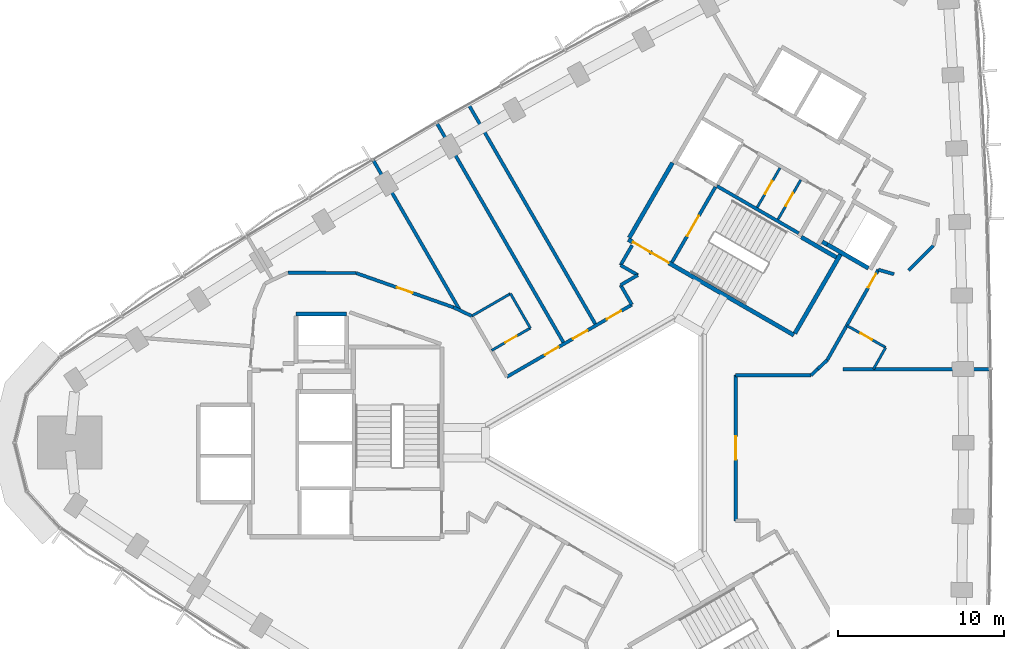
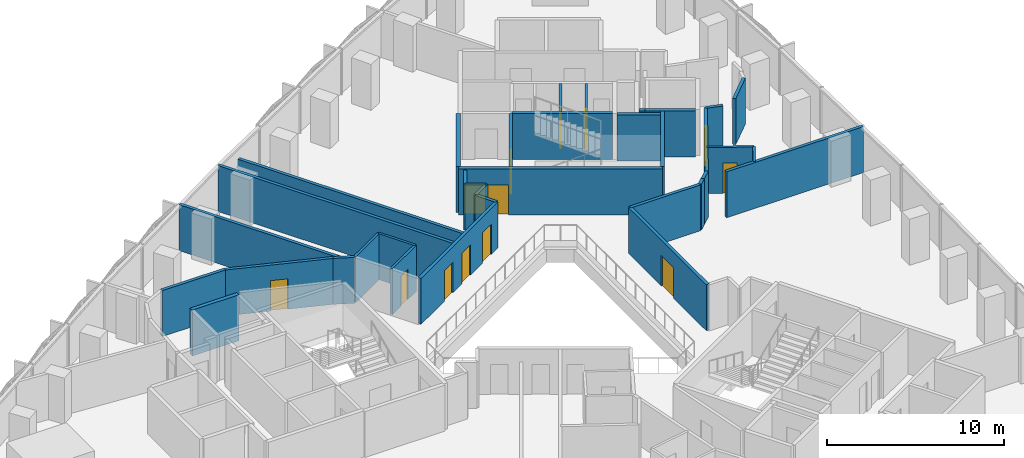
# One storey, part 10 of 15: 35 walls, 13 doors, 13 openings.
"""IFC4 building model written with IfcOpenShell, lengths in metres."""

from ifc_helpers import new_model, si_unit, direction, frame, frame_2d, origin, place, context, subcontext, project, spatial, rectangle, extrude, material, layer, layer_set, type_object, element, fill, save


model = new_model("IFC4")

# Units and contexts
model_context = context("Model", 3, precision=1e-05, world=origin(), true_north=direction((0.0, 1.0)))
body_context = subcontext(model_context, "Body", "Model", "MODEL_VIEW")
ifc_project = project(units=[si_unit("LENGTHUNIT", "METRE"), si_unit("AREAUNIT", "SQUARE_METRE"), si_unit("VOLUMEUNIT", "CUBIC_METRE"), si_unit("PLANEANGLEUNIT", "RADIAN"), si_unit("MASSUNIT", "GRAM", prefix="KILO")], contexts=[model_context])

# Site, building, storey
site_placement = place(None, origin())
site = spatial("IfcSite", under=ifc_project, at=site_placement, CompositionType="ELEMENT")
building_placement = place(site_placement, origin())
building = spatial("IfcBuilding", under=site, at=building_placement, Name="Tamra Quay Hotel Tower", CompositionType="ELEMENT")
storey_placement = place(building_placement, frame((0.0, 0.0, 86.60009765625)))
storey = spatial("IfcBuildingStorey", under=building, at=storey_placement, Name="L20", CompositionType="ELEMENT", Elevation=86.60009765625)

# Wall
ifc_material_1 = material(Name="Concrete M70", Category="concrete")
ifc_layer_1 = layer(ifc_material_1, 0.199951171875)
ifc_layer_set_1 = layer_set([ifc_layer_1], Name="Concrete M70 core wall 200")
wall_type_1 = type_object("IfcWallType", Name="Concrete M70 core wall 200", PredefinedType="SHEAR", material=ifc_layer_set_1)
wall_1_placement = place(storey_placement, frame((5.774658203125, 15.501953125, 0.0), z_axis=(0.0, 0.0, 1.0), x_axis=(0.866020080793, -0.500009219579, 0.0)))
element("IfcWall", 1, at=wall_1_placement, inside=storey, type_object=wall_type_1, Name="CW2", PredefinedType="SHEAR", context=body_context, shape_type="SweptSolid", body=[
    extrude(rectangle(XDim=5.69921875, YDim=0.199951171875, at=frame_2d((2.849609375, 0.0))), origin(), (0.0, 0.0, 1.0), 3.1748046875),
])

# Wall, opening, door
wall_2_placement = place(storey_placement, frame((3.056640625, 10.89453125, 0.0), z_axis=(0.0, 0.0, 1.0), x_axis=(0.499989418164, 0.866031513124, 0.0)))
wall_2 = element("IfcWall", 2, at=wall_2_placement, inside=storey, type_object=wall_type_1, Name="CW2", PredefinedType="SHEAR", context=body_context, shape_type="SweptSolid", body=[
    extrude(rectangle(XDim=5.2509765625, YDim=0.199951171875, at=frame_2d((2.62548828125, 0.0))), origin(), (0.0, 0.0, 1.0), 3.1748046875),
])
opening_1_placement = place(wall_2_placement, frame((1.84912109375, 0.0, 0.0)))
opening_1 = element("IfcOpeningElement", 3, at=opening_1_placement, cuts=wall_2, Name="Opening FD2", PredefinedType="OPENING", context=body_context, shape_type="SweptSolid", body=[
    extrude(rectangle(XDim=1.39990234375, YDim=2.10009765625, at=frame_2d((0.699951171875, 1.050048828125))), frame((0.0, 0.10986328125, 0.0), z_axis=(0.0, -1.0, 0.0), x_axis=(1.0, 0.0, 0.0)), (0.0, 0.0, 1.0), 0.219970703125),
])
ifc_material_2 = material(Name="Core door FD2 1400x2100 LH")
door_type_1 = type_object("IfcDoorType", Name="Core door FD2 1400x2100 LH", OperationType="NOTDEFINED", PredefinedType="DOOR", material=ifc_material_2)
door_1_placement = place(opening_1_placement, origin())
door_1 = element("IfcDoor", 4, at=door_1_placement, inside=storey, type_object=door_type_1, Name="FD2", OperationType="SINGLE_SWING_LEFT", OverallHeight=2.10009765625, OverallWidth=1.39990234375, PredefinedType="DOOR", context=body_context, shape_type="SweptSolid", body=[
    extrude(rectangle(XDim=1.39990234375, YDim=2.10009765625, at=frame_2d((0.699951171875, 1.050048828125))), frame((0.0, 0.02490234375, 0.0), z_axis=(0.0, -1.0, 0.0), x_axis=(1.0, 0.0, 0.0)), (0.0, 0.0, 1.0), 0.050048828125),
])
fill(opening_1, door_1)

# Wall
ifc_layer_2 = layer(ifc_material_1, 0.25)
ifc_layer_set_2 = layer_set([ifc_layer_2], Name="Concrete M70 core wall 250")
wall_type_2 = type_object("IfcWallType", Name="Concrete M70 core wall 250", PredefinedType="SHEAR", material=ifc_layer_set_2)
wall_3_placement = place(storey_placement, frame((-19.63720703125, 7.77490234375, 0.0), z_axis=(0.0, 0.0, 1.0), x_axis=(1.0, 0.0, 0.0)))
element("IfcWall", 5, at=wall_3_placement, inside=storey, type_object=wall_type_2, Name="CW1", PredefinedType="SHEAR", context=body_context, shape_type="SweptSolid", body=[
    extrude(rectangle(XDim=3.0498046875, YDim=0.25, at=frame_2d((1.52490234375, 0.0))), origin(), (0.0, 0.0, 1.0), 3.1748046875),
])

# Wall, openings, doors
wall_4_placement = place(storey_placement, frame((10.419921875, 6.497802734375, 0.0), z_axis=(0.0, 0.0, 1.0), x_axis=(-0.866021906294, 0.500006057782, 0.0)))
wall_4 = element("IfcWall", 6, at=wall_4_placement, inside=storey, type_object=wall_type_2, Name="CW1", PredefinedType="SHEAR", context=body_context, shape_type="SweptSolid", body=[
    extrude(rectangle(XDim=11.550048828125, YDim=0.25, at=frame_2d((5.77490234375, 0.0))), origin(), (0.0, 0.0, 1.0), 3.1748046875),
])
opening_2_placement = place(wall_4_placement, frame((10.02490234375, 0.0, 0.0)))
opening_2 = element("IfcOpeningElement", 7, at=opening_2_placement, cuts=wall_4, Name="Opening FD1", PredefinedType="OPENING", context=body_context, shape_type="SweptSolid", body=[
    extrude(rectangle(XDim=1.199951171875, YDim=2.10009765625, at=frame_2d((0.60009765625, 1.050048828125))), frame((0.0, 0.135009765625, 0.0), z_axis=(0.0, -1.0, 0.0), x_axis=(1.0, 0.0, 0.0)), (0.0, 0.0, 1.0), 0.27001953125),
])
opening_3_placement = place(wall_4_placement, frame((8.724853515625, 0.0, 0.0)))
opening_3 = element("IfcOpeningElement", 8, at=opening_3_placement, cuts=wall_4, Name="Opening FD1", PredefinedType="OPENING", context=body_context, shape_type="SweptSolid", body=[
    extrude(rectangle(XDim=1.199951171875, YDim=2.10009765625, at=frame_2d((0.60009765625, 1.050048828125))), frame((0.0, 0.135009765625, 0.0), z_axis=(0.0, -1.0, 0.0), x_axis=(1.0, 0.0, 0.0)), (0.0, 0.0, 1.0), 0.27001953125),
])
ifc_material_3 = material(Name="Core door FD1 1200x2100 LH")
door_type_2 = type_object("IfcDoorType", Name="Core door FD1 1200x2100 LH", OperationType="NOTDEFINED", PredefinedType="DOOR", material=ifc_material_3)
door_2_placement = place(opening_2_placement, origin())
door_2 = element("IfcDoor", 9, at=door_2_placement, inside=storey, type_object=door_type_2, Name="FD1", OperationType="SINGLE_SWING_LEFT", OverallHeight=2.10009765625, OverallWidth=1.199951171875, PredefinedType="DOOR", context=body_context, shape_type="SweptSolid", body=[
    extrude(rectangle(XDim=1.199951171875, YDim=2.10009765625, at=frame_2d((0.60009765625, 1.050048828125))), frame((0.0, 0.02490234375, 0.0), z_axis=(0.0, -1.0, 0.0), x_axis=(1.0, 0.0, 0.0)), (0.0, 0.0, 1.0), 0.050048828125),
])
fill(opening_2, door_2)
ifc_material_4 = material(Name="Core door FD1 1200x2100 RH")
door_type_3 = type_object("IfcDoorType", Name="Core door FD1 1200x2100 RH", OperationType="NOTDEFINED", PredefinedType="DOOR", material=ifc_material_4)
door_3_placement = place(opening_3_placement, origin())
door_3 = element("IfcDoor", 10, at=door_3_placement, inside=storey, type_object=door_type_3, Name="FD1", OperationType="SINGLE_SWING_RIGHT", OverallHeight=2.10009765625, OverallWidth=1.199951171875, PredefinedType="DOOR", context=body_context, shape_type="SweptSolid", body=[
    extrude(rectangle(XDim=1.199951171875, YDim=2.10009765625, at=frame_2d((0.60009765625, 1.050048828125))), frame((0.0, 0.02490234375, 0.0), z_axis=(0.0, -1.0, 0.0), x_axis=(1.0, 0.0, 0.0)), (0.0, 0.0, 1.0), 0.050048828125),
])
fill(opening_3, door_3)

# Walls
wall_5_placement = place(storey_placement, frame((0.47998046875, 12.38134765625, 0.0), z_axis=(0.0, 0.0, 1.0), x_axis=(0.49999885962, 0.866026062182, 0.0)))
element("IfcWall", 11, at=wall_5_placement, inside=storey, type_object=wall_type_2, Name="CW1", PredefinedType="SHEAR", context=body_context, shape_type="SweptSolid", body=[
    extrude(rectangle(XDim=5.224609375, YDim=0.25, at=frame_2d((2.6123046875, 0.0))), origin(), (0.0, 0.0, 1.0), 3.1748046875),
])
wall_6_placement = place(storey_placement, frame((13.237548828125, 11.3779296875, 0.0), z_axis=(0.0, 0.0, 1.0), x_axis=(-0.500008851346, -0.866020293397, 0.0)))
element("IfcWall", 12, at=wall_6_placement, inside=storey, type_object=wall_type_2, Name="CW1", PredefinedType="SHEAR", context=body_context, shape_type="SweptSolid", body=[
    extrude(rectangle(XDim=5.509765625, YDim=0.25, at=frame_2d((2.7548828125, 0.0))), origin(), (0.0, 0.0, 1.0), 3.1748046875),
])
wall_7_placement = place(storey_placement, frame((14.91845703125, 10.540283203125, 0.0), z_axis=(0.0, 0.0, 1.0), x_axis=(-0.866063538972, 0.499933942099, 0.0)))
element("IfcWall", 13, at=wall_7_placement, inside=storey, type_object=wall_type_2, Name="CW1", PredefinedType="SHEAR", context=body_context, shape_type="SweptSolid", body=[
    extrude(rectangle(XDim=2.86474609375, YDim=0.25, at=frame_2d((1.432373046875, 0.0))), origin(), (0.0, 0.0, 1.0), 3.1748046875),
])
wall_8_placement = place(storey_placement, frame((10.865234375, 12.41845703125, 0.0), z_axis=(0.0, 0.0, 1.0), x_axis=(0.866026229868, -0.499998569178, 0.0)))
element("IfcWall", 14, at=wall_8_placement, inside=storey, type_object=wall_type_2, Name="CW1", PredefinedType="SHEAR", context=body_context, shape_type="SweptSolid", body=[
    extrude(rectangle(XDim=2.44921875, YDim=0.25, at=frame_2d((1.224609375, 0.0))), origin(), (0.0, 0.0, 1.0), 3.1748046875),
])
wall_9_placement = place(storey_placement, frame((12.4326171875, 11.9638671875, 0.0), z_axis=(0.0, 0.0, 1.0), x_axis=(-0.866055875208, 0.499947218231, 0.0)))
element("IfcWall", 15, at=wall_9_placement, inside=storey, type_object=wall_type_2, Name="CW1", PredefinedType="SHEAR", context=body_context, shape_type="SweptSolid", body=[
    extrude(rectangle(XDim=0.3447265625, YDim=0.25, at=frame_2d((0.17236328125, 0.0))), origin(), (0.0, 0.0, 1.0), 3.1748046875),
])

# Wall, opening, door
ifc_material_5 = material(Name="Blockwork", Category="masonry")
ifc_layer_3 = layer(ifc_material_5, 0.14990234375)
ifc_layer_set_3 = layer_set([ifc_layer_3], Name="Core partition block 150")
wall_type_3 = type_object("IfcWallType", Name="Core partition block 150", PredefinedType="PARTITIONING", material=ifc_layer_set_3)
wall_10_placement = place(storey_placement, frame((9.462158203125, 13.4892578125, 0.0), z_axis=(0.0, 0.0, 1.0), x_axis=(0.50002746344, 0.86600954718, 0.0)))
wall_10 = element("IfcWall", 16, at=wall_10_placement, inside=storey, type_object=wall_type_3, Name="CP1", PredefinedType="PARTITIONING", context=body_context, shape_type="SweptSolid", body=[
    extrude(rectangle(XDim=2.748291015625, YDim=0.14990234375, at=frame_2d((1.3740234375, 0.0))), origin(), (0.0, 0.0, 1.0), 3.1748046875),
])
opening_4_placement = place(wall_10_placement, frame((0.92431640625, 0.0, 0.0)))
opening_4 = element("IfcOpeningElement", 17, at=opening_4_placement, cuts=wall_10, Name="Opening D2", PredefinedType="OPENING", context=body_context, shape_type="SweptSolid", body=[
    extrude(rectangle(XDim=0.89990234375, YDim=2.10009765625, at=frame_2d((0.449951171875, 1.050048828125))), frame((0.0, 0.0849609375, 0.0), z_axis=(0.0, -1.0, 0.0), x_axis=(1.0, 0.0, 0.0)), (0.0, 0.0, 1.0), 0.169921875),
])
ifc_material_6 = material(Name="Core door D2 900x2100 LH")
door_type_4 = type_object("IfcDoorType", Name="Core door D2 900x2100 LH", OperationType="NOTDEFINED", PredefinedType="DOOR", material=ifc_material_6)
door_4_placement = place(opening_4_placement, origin())
door_4 = element("IfcDoor", 18, at=door_4_placement, inside=storey, type_object=door_type_4, Name="D2", OperationType="SINGLE_SWING_LEFT", OverallHeight=2.10009765625, OverallWidth=0.89990234375, PredefinedType="DOOR", context=body_context, shape_type="SweptSolid", body=[
    extrude(rectangle(XDim=0.89990234375, YDim=2.10009765625, at=frame_2d((0.449951171875, 1.050048828125))), frame((0.0, 0.02490234375, 0.0), z_axis=(0.0, -1.0, 0.0), x_axis=(1.0, 0.0, 0.0)), (0.0, 0.0, 1.0), 0.050048828125),
])
fill(opening_4, door_4)

wall_11_placement = place(storey_placement, frame((8.20654296875, 14.214111328125, 0.0), z_axis=(0.0, 0.0, 1.0), x_axis=(0.499922376475, 0.866070215109, 0.0)))
wall_11 = element("IfcWall", 19, at=wall_11_placement, inside=storey, type_object=wall_type_3, Name="CP1", PredefinedType="PARTITIONING", context=body_context, shape_type="SweptSolid", body=[
    extrude(rectangle(XDim=2.74853515625, YDim=0.14990234375, at=frame_2d((1.374267578125, 0.0))), origin(), (0.0, 0.0, 1.0), 3.1748046875),
])
opening_5_placement = place(wall_11_placement, frame((0.92431640625, 0.0, 0.0)))
opening_5 = element("IfcOpeningElement", 20, at=opening_5_placement, cuts=wall_11, Name="Opening D2", PredefinedType="OPENING", context=body_context, shape_type="SweptSolid", body=[
    extrude(rectangle(XDim=0.89990234375, YDim=2.10009765625, at=frame_2d((0.449951171875, 1.050048828125))), frame((0.0, 0.0849609375, 0.0), z_axis=(0.0, -1.0, 0.0), x_axis=(1.0, 0.0, 0.0)), (0.0, 0.0, 1.0), 0.169921875),
])
ifc_material_7 = material(Name="Core door D2 900x2100 RH")
door_type_5 = type_object("IfcDoorType", Name="Core door D2 900x2100 RH", OperationType="NOTDEFINED", PredefinedType="DOOR", material=ifc_material_7)
door_5_placement = place(opening_5_placement, origin())
door_5 = element("IfcDoor", 21, at=door_5_placement, inside=storey, type_object=door_type_5, Name="D2", OperationType="SINGLE_SWING_RIGHT", OverallHeight=2.10009765625, OverallWidth=0.89990234375, PredefinedType="DOOR", context=body_context, shape_type="SweptSolid", body=[
    extrude(rectangle(XDim=0.89990234375, YDim=2.10009765625, at=frame_2d((0.449951171875, 1.050048828125))), frame((0.0, 0.02490234375, 0.0), z_axis=(0.0, -1.0, 0.0), x_axis=(1.0, 0.0, 0.0)), (0.0, 0.0, 1.0), 0.050048828125),
])
fill(opening_5, door_5)

# Wall
ifc_material_8 = material(Name="Partition corridor wall")
ifc_layer_4 = layer(ifc_material_8, 0.199951171875)
ifc_layer_set_4 = layer_set([ifc_layer_4], Name="Partition corridor wall")
wall_type_4 = type_object("IfcWallType", Name="Partition corridor wall", PredefinedType="PARTITIONING", material=ifc_layer_set_4)
wall_12_placement = place(storey_placement, frame((-20.14306640625, 10.26611328125, 0.0), z_axis=(0.0, 0.0, 1.0), x_axis=(0.999989297417, -0.004626559416, 0.0)))
element("IfcWall", 22, at=wall_12_placement, inside=storey, type_object=wall_type_4, Name="W-C", PredefinedType="PARTITIONING", context=body_context, shape_type="SweptSolid", body=[
    extrude(rectangle(XDim=4.115966796875, YDim=0.199951171875, at=frame_2d((2.05810546875, 0.0))), origin(), (0.0, 0.0, 1.0), 3.1748046875),
])

# Wall, opening, door
wall_13_placement = place(storey_placement, frame((-16.02587890625, 10.2470703125, 0.0), z_axis=(0.0, 0.0, 1.0), x_axis=(0.943302857381, -0.331933305434, 0.0)))
wall_13 = element("IfcWall", 23, at=wall_13_placement, inside=storey, type_object=wall_type_4, Name="W-C", PredefinedType="PARTITIONING", context=body_context, shape_type="SweptSolid", body=[
    extrude(rectangle(XDim=6.236328125, YDim=0.199951171875, at=frame_2d((3.1181640625, 0.0))), origin(), (0.0, 0.0, 1.0), 3.1748046875),
])
opening_6_placement = place(wall_13_placement, frame((2.618408203125, 0.0, 0.0)))
opening_6 = element("IfcOpeningElement", 24, at=opening_6_placement, cuts=wall_13, Name="Opening L20-D009", PredefinedType="OPENING", context=body_context, shape_type="SweptSolid", body=[
    extrude(rectangle(XDim=1.0, YDim=2.10009765625, at=frame_2d((0.5, 1.050048828125))), frame((0.0, 0.10986328125, 0.0), z_axis=(0.0, -1.0, 0.0), x_axis=(1.0, 0.0, 0.0)), (0.0, 0.0, 1.0), 0.219970703125),
])
ifc_material_9 = material(Name="Door guest room 1000x2100")
door_type_6 = type_object("IfcDoorType", Name="Door guest room 1000x2100", OperationType="NOTDEFINED", PredefinedType="DOOR", material=ifc_material_9)
door_6_placement = place(opening_6_placement, origin())
door_6 = element("IfcDoor", 25, at=door_6_placement, inside=storey, type_object=door_type_6, Name="L20-D009", OperationType="SINGLE_SWING_LEFT", OverallHeight=2.10009765625, OverallWidth=1.0, PredefinedType="DOOR", context=body_context, shape_type="SweptSolid", body=[
    extrude(rectangle(XDim=1.0, YDim=2.10009765625, at=frame_2d((0.5, 1.050048828125))), frame((0.0, 0.02490234375, 0.0), z_axis=(0.0, -1.0, 0.0), x_axis=(1.0, 0.0, 0.0)), (0.0, 0.0, 1.0), 0.050048828125),
])
fill(opening_6, door_6)

# Wall
wall_14_placement = place(storey_placement, frame((-10.14306640625, 8.1767578125, 0.0), z_axis=(0.0, 0.0, 1.0), x_axis=(0.904109978004, -0.427299833458, 0.0)))
element("IfcWall", 26, at=wall_14_placement, inside=storey, type_object=wall_type_4, Name="W-C", PredefinedType="PARTITIONING", context=body_context, shape_type="SweptSolid", body=[
    extrude(rectangle(XDim=1.227783203125, YDim=0.199951171875, at=frame_2d((0.61376953125, 0.0))), origin(), (0.0, 0.0, 1.0), 3.1748046875),
])

# Wall, openings, doors
wall_15_placement = place(storey_placement, frame((-6.9111328125, 3.977294921875, 0.0), z_axis=(0.0, 0.0, 1.0), x_axis=(0.86601303132, 0.500021429124, 0.0)))
wall_15 = element("IfcWall", 27, at=wall_15_placement, inside=storey, type_object=wall_type_4, Name="W-C", PredefinedType="PARTITIONING", context=body_context, shape_type="SweptSolid", body=[
    extrude(rectangle(XDim=8.7177734375, YDim=0.199951171875, at=frame_2d((4.35888671875, 0.0))), origin(), (0.0, 0.0, 1.0), 3.1748046875),
])
opening_7_placement = place(wall_15_placement, frame((4.608154296875, 0.0, 0.0)))
opening_7 = element("IfcOpeningElement", 28, at=opening_7_placement, cuts=wall_15, Name="Opening L20-D004", PredefinedType="OPENING", context=body_context, shape_type="SweptSolid", body=[
    extrude(rectangle(XDim=1.0, YDim=2.10009765625, at=frame_2d((0.5, 1.050048828125))), frame((0.0, 0.10986328125, 0.0), z_axis=(0.0, -1.0, 0.0), x_axis=(1.0, 0.0, 0.0)), (0.0, 0.0, 1.0), 0.219970703125),
])
opening_8_placement = place(wall_15_placement, frame((6.96240234375, 0.0, 0.0)))
opening_8 = element("IfcOpeningElement", 29, at=opening_8_placement, cuts=wall_15, Name="Opening L20-D005", PredefinedType="OPENING", context=body_context, shape_type="SweptSolid", body=[
    extrude(rectangle(XDim=1.0, YDim=2.10009765625, at=frame_2d((0.5, 1.050048828125))), frame((0.0, 0.10986328125, 0.0), z_axis=(0.0, -1.0, 0.0), x_axis=(1.0, 0.0, 0.0)), (0.0, 0.0, 1.0), 0.219970703125),
])
opening_9_placement = place(wall_15_placement, frame((2.64990234375, 0.0, 0.0)))
opening_9 = element("IfcOpeningElement", 30, at=opening_9_placement, cuts=wall_15, Name="Opening L20-D006", PredefinedType="OPENING", context=body_context, shape_type="SweptSolid", body=[
    extrude(rectangle(XDim=0.949951171875, YDim=2.10009765625, at=frame_2d((0.47509765625, 1.050048828125))), frame((0.0, 0.10986328125, 0.0), z_axis=(0.0, -1.0, 0.0), x_axis=(1.0, 0.0, 0.0)), (0.0, 0.0, 1.0), 0.219970703125),
])
door_7_placement = place(opening_7_placement, origin())
door_7 = element("IfcDoor", 31, at=door_7_placement, inside=storey, type_object=door_type_6, Name="L20-D004", OperationType="SINGLE_SWING_LEFT", OverallHeight=2.10009765625, OverallWidth=1.0, PredefinedType="DOOR", context=body_context, shape_type="SweptSolid", body=[
    extrude(rectangle(XDim=1.0, YDim=2.10009765625, at=frame_2d((0.5, 1.050048828125))), frame((0.0, 0.02490234375, 0.0), z_axis=(0.0, -1.0, 0.0), x_axis=(1.0, 0.0, 0.0)), (0.0, 0.0, 1.0), 0.050048828125),
])
fill(opening_7, door_7)
door_8_placement = place(opening_8_placement, origin())
door_8 = element("IfcDoor", 32, at=door_8_placement, inside=storey, type_object=door_type_6, Name="L20-D005", OperationType="SINGLE_SWING_LEFT", OverallHeight=2.10009765625, OverallWidth=1.0, PredefinedType="DOOR", context=body_context, shape_type="SweptSolid", body=[
    extrude(rectangle(XDim=1.0, YDim=2.10009765625, at=frame_2d((0.5, 1.050048828125))), frame((0.0, 0.02490234375, 0.0), z_axis=(0.0, -1.0, 0.0), x_axis=(1.0, 0.0, 0.0)), (0.0, 0.0, 1.0), 0.050048828125),
])
fill(opening_8, door_8)
ifc_material_10 = material(Name="Door guest room 950x2100")
door_type_7 = type_object("IfcDoorType", Name="Door guest room 950x2100", OperationType="NOTDEFINED", PredefinedType="DOOR", material=ifc_material_10)
door_9_placement = place(opening_9_placement, origin())
door_9 = element("IfcDoor", 33, at=door_9_placement, inside=storey, type_object=door_type_7, Name="L20-D006", OperationType="SINGLE_SWING_LEFT", OverallHeight=2.10009765625, OverallWidth=0.949951171875, PredefinedType="DOOR", context=body_context, shape_type="SweptSolid", body=[
    extrude(rectangle(XDim=0.949951171875, YDim=2.10009765625, at=frame_2d((0.47509765625, 1.050048828125))), frame((0.0, 0.02490234375, 0.0), z_axis=(0.0, -1.0, 0.0), x_axis=(1.0, 0.0, 0.0)), (0.0, 0.0, 1.0), 0.050048828125),
])
fill(opening_9, door_9)

# Walls
wall_16_placement = place(storey_placement, frame((-0.044921875, 9.52099609375, 0.0), z_axis=(0.0, 0.0, 1.0), x_axis=(0.499804837697, -0.866138051476, 0.0)))
element("IfcWall", 34, at=wall_16_placement, inside=storey, type_object=wall_type_4, Name="W-C", PredefinedType="PARTITIONING", context=body_context, shape_type="SweptSolid", body=[
    extrude(rectangle(XDim=1.3681640625, YDim=0.199951171875, at=frame_2d((0.68408203125, 0.0))), origin(), (0.0, 0.0, 1.0), 3.1748046875),
])
wall_17_placement = place(storey_placement, frame((-0.044921875, 9.52197265625, 0.0), z_axis=(0.0, 0.0, 1.0), x_axis=(0.86625675314, 0.499599076899, 0.0)))
element("IfcWall", 35, at=wall_17_placement, inside=storey, type_object=wall_type_4, Name="W-C", PredefinedType="PARTITIONING", context=body_context, shape_type="SweptSolid", body=[
    extrude(rectangle(XDim=1.19921875, YDim=0.199951171875, at=frame_2d((0.599609375, 0.0))), origin(), (0.0, 0.0, 1.0), 3.1748046875),
])
wall_18_placement = place(storey_placement, frame((-0.044921875, 10.721923828125, 0.0), z_axis=(0.0, 0.0, 1.0), x_axis=(0.500107785535, 0.865963164833, 0.0)))
element("IfcWall", 36, at=wall_18_placement, inside=storey, type_object=wall_type_4, Name="W-C", PredefinedType="PARTITIONING", context=body_context, shape_type="SweptSolid", body=[
    extrude(rectangle(XDim=1.389404296875, YDim=0.199951171875, at=frame_2d((0.69482421875, 0.0))), origin(), (0.0, 0.0, 1.0), 3.1748046875),
])
wall_19_placement = place(storey_placement, frame((-0.044921875, 10.720947265625, 0.0), z_axis=(0.0, 0.0, 1.0), x_axis=(0.865992388649, -0.500057179532, 0.0)))
element("IfcWall", 37, at=wall_19_placement, inside=storey, type_object=wall_type_4, Name="W-C", PredefinedType="PARTITIONING", context=body_context, shape_type="SweptSolid", body=[
    extrude(rectangle(XDim=1.199462890625, YDim=0.199951171875, at=frame_2d((0.599609375, 0.0))), origin(), (0.0, 0.0, 1.0), 3.1748046875),
])

# Wall, opening, door
wall_20_placement = place(storey_placement, frame((6.89990234375, -4.720947265625, 0.0), z_axis=(0.0, 0.0, 1.0), x_axis=(0.0, 1.0, 0.0)))
wall_20 = element("IfcWall", 38, at=wall_20_placement, inside=storey, type_object=wall_type_4, Name="W-C", PredefinedType="PARTITIONING", context=body_context, shape_type="SweptSolid", body=[
    extrude(rectangle(XDim=8.798828125, YDim=0.199951171875, at=frame_2d((4.3994140625, 0.0))), origin(), (0.0, 0.0, 1.0), 3.1748046875),
])
opening_10_placement = place(wall_20_placement, frame((3.699462890625, 0.0, 0.0)))
opening_10 = element("IfcOpeningElement", 39, at=opening_10_placement, cuts=wall_20, Name="Opening L20-D001", PredefinedType="OPENING", context=body_context, shape_type="SweptSolid", body=[
    extrude(rectangle(XDim=1.39990234375, YDim=2.10009765625, at=frame_2d((0.699951171875, 1.050048828125))), frame((0.0, 0.10986328125, 0.0), z_axis=(0.0, -1.0, 0.0), x_axis=(1.0, 0.0, 0.0)), (0.0, 0.0, 1.0), 0.219970703125),
])
ifc_material_11 = material(Name="Door double leaf 1400x2100")
door_type_8 = type_object("IfcDoorType", Name="Door double leaf 1400x2100", OperationType="DOUBLE_DOOR_SINGLE_SWING", PredefinedType="DOOR", material=ifc_material_11)
door_10_placement = place(opening_10_placement, frame((1.39990234375, 0.0, 0.0), z_axis=(0.0, 0.0, 1.0), x_axis=(-1.0, 0.0, 0.0)))
door_10 = element("IfcDoor", 40, at=door_10_placement, inside=storey, type_object=door_type_8, Name="L20-D001", OperationType="DOUBLE_DOOR_SINGLE_SWING", OverallHeight=2.10009765625, OverallWidth=1.39990234375, PredefinedType="DOOR", context=body_context, shape_type="SweptSolid", body=[
    extrude(rectangle(XDim=1.39990234375, YDim=2.10009765625, at=frame_2d((0.699951171875, 1.050048828125))), frame((0.0, 0.02490234375, 0.0), z_axis=(0.0, -1.0, 0.0), x_axis=(1.0, 0.0, 0.0)), (0.0, 0.0, 1.0), 0.050048828125),
])
fill(opening_10, door_10)

# Walls
wall_21_placement = place(storey_placement, frame((6.89990234375, 4.077880859375, 0.0), z_axis=(0.0, 0.0, 1.0), x_axis=(1.0, 0.0, 0.0)))
element("IfcWall", 41, at=wall_21_placement, inside=storey, type_object=wall_type_4, Name="W-C", PredefinedType="PARTITIONING", context=body_context, shape_type="SweptSolid", body=[
    extrude(rectangle(XDim=4.55810546875, YDim=0.199951171875, at=frame_2d((2.279052734375, 0.0))), origin(), (0.0, 0.0, 1.0), 3.1748046875),
])
wall_22_placement = place(storey_placement, frame((11.4580078125, 4.077880859375, 0.0), z_axis=(0.0, 0.0, 1.0), x_axis=(0.730044754355, 0.683399339068, 0.0)))
element("IfcWall", 42, at=wall_22_placement, inside=storey, type_object=wall_type_4, Name="W-C", PredefinedType="PARTITIONING", context=body_context, shape_type="SweptSolid", body=[
    extrude(rectangle(XDim=0.5546875, YDim=0.199951171875, at=frame_2d((0.27734375, 0.0))), origin(), (0.0, 0.0, 1.0), 3.1748046875),
])

# Wall, opening, door
wall_23_placement = place(storey_placement, frame((12.43359375, 4.99169921875, 0.0), z_axis=(0.0, 0.0, 1.0), x_axis=(0.492587091186, 0.870263154222, 0.0)))
wall_23 = element("IfcWall", 43, at=wall_23_placement, inside=storey, type_object=wall_type_4, Name="W-C", PredefinedType="PARTITIONING", context=body_context, shape_type="SweptSolid", body=[
    extrude(rectangle(XDim=6.269775390625, YDim=0.199951171875, at=frame_2d((3.134765625, 0.0))), origin(), (0.0, 0.0, 1.0), 3.1748046875),
])
opening_11_placement = place(wall_23_placement, frame((5.0380859375, 0.0, 0.0)))
opening_11 = element("IfcOpeningElement", 44, at=opening_11_placement, cuts=wall_23, Name="Opening L20-D002", PredefinedType="OPENING", context=body_context, shape_type="SweptSolid", body=[
    extrude(rectangle(XDim=0.949951171875, YDim=2.10009765625, at=frame_2d((0.47509765625, 1.050048828125))), frame((0.0, 0.10986328125, 0.0), z_axis=(0.0, -1.0, 0.0), x_axis=(1.0, 0.0, 0.0)), (0.0, 0.0, 1.0), 0.219970703125),
])
door_11_placement = place(opening_11_placement, origin())
door_11 = element("IfcDoor", 45, at=door_11_placement, inside=storey, type_object=door_type_7, Name="L20-D002", OperationType="SINGLE_SWING_LEFT", OverallHeight=2.10009765625, OverallWidth=0.949951171875, PredefinedType="DOOR", context=body_context, shape_type="SweptSolid", body=[
    extrude(rectangle(XDim=0.949951171875, YDim=2.10009765625, at=frame_2d((0.47509765625, 1.050048828125))), frame((0.0, 0.02490234375, 0.0), z_axis=(0.0, -1.0, 0.0), x_axis=(1.0, 0.0, 0.0)), (0.0, 0.0, 1.0), 0.050048828125),
])
fill(opening_11, door_11)

# Walls
wall_24_placement = place(storey_placement, frame((15.52197265625, 10.447998046875, 0.0), z_axis=(0.0, 0.0, 1.0), x_axis=(0.961673491185, -0.274197185164, 0.0)))
element("IfcWall", 46, at=wall_24_placement, inside=storey, type_object=wall_type_4, Name="W-C", PredefinedType="PARTITIONING", context=body_context, shape_type="SweptSolid", body=[
    extrude(rectangle(XDim=0.98486328125, YDim=0.199951171875, at=frame_2d((0.492431640625, 0.0))), origin(), (0.0, 0.0, 1.0), 3.1748046875),
])
wall_25_placement = place(storey_placement, frame((17.35205078125, 10.406982421875, 0.0), z_axis=(0.0, 0.0, 1.0), x_axis=(0.707106781187, 0.707106781187, 0.0)))
element("IfcWall", 47, at=wall_25_placement, inside=storey, type_object=wall_type_4, Name="W-C", PredefinedType="PARTITIONING", context=body_context, shape_type="SweptSolid", body=[
    extrude(rectangle(XDim=2.121337890625, YDim=0.199951171875, at=frame_2d((1.060546875, 0.0))), origin(), (0.0, 0.0, 1.0), 3.1748046875),
])
wall_26_placement = place(storey_placement, frame((12.43359375, 4.99169921875, 0.0), z_axis=(0.0, 0.0, 1.0), x_axis=(-0.730130737703, -0.683307475345, 0.0)))
element("IfcWall", 48, at=wall_26_placement, inside=storey, type_object=wall_type_4, Name="W-C", PredefinedType="PARTITIONING", context=body_context, shape_type="SweptSolid", body=[
    extrude(rectangle(XDim=0.7822265625, YDim=0.199951171875, at=frame_2d((0.39111328125, 0.0))), origin(), (0.0, 0.0, 1.0), 3.1748046875),
])
ifc_material_12 = material(Name="Partition en-suite wall")
ifc_layer_5 = layer(ifc_material_12, 0.14990234375)
ifc_layer_set_5 = layer_set([ifc_layer_5], Name="Partition en-suite wall")
wall_type_5 = type_object("IfcWallType", Name="Partition en-suite wall", PredefinedType="PARTITIONING", material=ifc_layer_set_5)
wall_27_placement = place(storey_placement, frame((-9.032958984375, 7.652099609375, 0.0), z_axis=(0.0, 0.0, 1.0), x_axis=(0.866013897511, 0.50001992892, 0.0)))
element("IfcWall", 49, at=wall_27_placement, inside=storey, type_object=wall_type_5, Name="W-E", PredefinedType="PARTITIONING", context=body_context, shape_type="SweptSolid", body=[
    extrude(rectangle(XDim=2.69970703125, YDim=0.14990234375, at=frame_2d((1.349853515625, 0.0))), origin(), (0.0, 0.0, 1.0), 3.1748046875),
])

# Wall, opening, door
wall_28_placement = place(storey_placement, frame((-7.8330078125, 5.573974609375, 0.0), z_axis=(0.0, 0.0, 1.0), x_axis=(0.865974735705, 0.50008774942, 0.0)))
wall_28 = element("IfcWall", 50, at=wall_28_placement, inside=storey, type_object=wall_type_5, Name="W-E", PredefinedType="PARTITIONING", context=body_context, shape_type="SweptSolid", body=[
    extrude(rectangle(XDim=2.69970703125, YDim=0.14990234375, at=frame_2d((1.349853515625, 0.0))), origin(), (0.0, 0.0, 1.0), 3.1748046875),
])
opening_12_placement = place(wall_28_placement, frame((0.949951171875, 0.0, 0.0)))
opening_12 = element("IfcOpeningElement", 51, at=opening_12_placement, cuts=wall_28, Name="Opening L20-D007", PredefinedType="OPENING", context=body_context, shape_type="SweptSolid", body=[
    extrude(rectangle(XDim=0.800048828125, YDim=2.10009765625, at=frame_2d((0.39990234375, 1.050048828125))), frame((0.0, 0.0849609375, 0.0), z_axis=(0.0, -1.0, 0.0), x_axis=(1.0, 0.0, 0.0)), (0.0, 0.0, 1.0), 0.169921875),
])
ifc_material_13 = material(Name="Door en-suite 800x2100")
door_type_9 = type_object("IfcDoorType", Name="Door en-suite 800x2100", OperationType="NOTDEFINED", PredefinedType="DOOR", material=ifc_material_13)
door_12_placement = place(opening_12_placement, origin())
door_12 = element("IfcDoor", 52, at=door_12_placement, inside=storey, type_object=door_type_9, Name="L20-D007", OperationType="SINGLE_SWING_LEFT", OverallHeight=2.10009765625, OverallWidth=0.800048828125, PredefinedType="DOOR", context=body_context, shape_type="SweptSolid", body=[
    extrude(rectangle(XDim=0.800048828125, YDim=2.10009765625, at=frame_2d((0.39990234375, 1.050048828125))), frame((0.0, 0.02490234375, 0.0), z_axis=(0.0, -1.0, 0.0), x_axis=(1.0, 0.0, 0.0)), (0.0, 0.0, 1.0), 0.050048828125),
])
fill(opening_12, door_12)

# Wall
wall_29_placement = place(storey_placement, frame((-6.695068359375, 9.001953125, 0.0), z_axis=(0.0, 0.0, 1.0), x_axis=(0.500089422704, -0.865973769406, 0.0)))
element("IfcWall", 53, at=wall_29_placement, inside=storey, type_object=wall_type_5, Name="W-E", PredefinedType="PARTITIONING", context=body_context, shape_type="SweptSolid", body=[
    extrude(rectangle(XDim=2.3994140625, YDim=0.14990234375, at=frame_2d((1.19970703125, 0.0))), origin(), (0.0, 0.0, 1.0), 3.1748046875),
])

# Wall, opening, door
wall_30_placement = place(storey_placement, frame((13.6201171875, 7.075927734375, 0.0), z_axis=(0.0, 0.0, 1.0), x_axis=(0.870642347791, -0.491916560235, 0.0)))
wall_30 = element("IfcWall", 54, at=wall_30_placement, inside=storey, type_object=wall_type_5, Name="W-E", PredefinedType="PARTITIONING", context=body_context, shape_type="SweptSolid", body=[
    extrude(rectangle(XDim=2.6875, YDim=0.14990234375, at=frame_2d((1.34375, 0.0))), origin(), (0.0, 0.0, 1.0), 3.1748046875),
])
opening_13_placement = place(wall_30_placement, frame((0.94384765625, 0.0, 0.0)))
opening_13 = element("IfcOpeningElement", 55, at=opening_13_placement, cuts=wall_30, Name="Opening L20-D003", PredefinedType="OPENING", context=body_context, shape_type="SweptSolid", body=[
    extrude(rectangle(XDim=0.800048828125, YDim=2.10009765625, at=frame_2d((0.39990234375, 1.050048828125))), frame((0.0, 0.0849609375, 0.0), z_axis=(0.0, -1.0, 0.0), x_axis=(1.0, 0.0, 0.0)), (0.0, 0.0, 1.0), 0.169921875),
])
door_13_placement = place(opening_13_placement, origin())
door_13 = element("IfcDoor", 56, at=door_13_placement, inside=storey, type_object=door_type_9, Name="L20-D003", OperationType="SINGLE_SWING_LEFT", OverallHeight=2.10009765625, OverallWidth=0.800048828125, PredefinedType="DOOR", context=body_context, shape_type="SweptSolid", body=[
    extrude(rectangle(XDim=0.800048828125, YDim=2.10009765625, at=frame_2d((0.39990234375, 1.050048828125))), frame((0.0, 0.02490234375, 0.0), z_axis=(0.0, -1.0, 0.0), x_axis=(1.0, 0.0, 0.0)), (0.0, 0.0, 1.0), 0.050048828125),
])
fill(opening_13, door_13)

# Walls
wall_31_placement = place(storey_placement, frame((15.22607421875, 4.446044921875, 0.0), z_axis=(0.0, 0.0, 1.0), x_axis=(0.49313192832, 0.869954539773, 0.0)))
element("IfcWall", 57, at=wall_31_placement, inside=storey, type_object=wall_type_5, Name="W-E", PredefinedType="PARTITIONING", context=body_context, shape_type="SweptSolid", body=[
    extrude(rectangle(XDim=1.49658203125, YDim=0.14990234375, at=frame_2d((0.748291015625, 0.0))), origin(), (0.0, 0.0, 1.0), 3.1748046875),
])
ifc_material_14 = material(Name="Partition party wall")
ifc_layer_6 = layer(ifc_material_14, 0.199951171875)
ifc_layer_set_6 = layer_set([ifc_layer_6], Name="Partition party wall")
wall_type_6 = type_object("IfcWallType", Name="Partition party wall", PredefinedType="PARTITIONING", material=ifc_layer_set_6)
wall_32_placement = place(storey_placement, frame((-15.000732421875, 17.092041015625, 0.0), z_axis=(0.0, 0.0, 1.0), x_axis=(0.500045432254, -0.865999171872, 0.0)))
element("IfcWall", 58, at=wall_32_placement, inside=storey, type_object=wall_type_6, Name="W-P", PredefinedType="PARTITIONING", context=body_context, shape_type="SweptSolid", body=[
    extrude(rectangle(XDim=10.5126953125, YDim=0.199951171875, at=frame_2d((5.25634765625, 0.0))), origin(), (0.0, 0.0, 1.0), 3.1748046875),
])
wall_33_placement = place(storey_placement, frame((-11.16357421875, 19.3369140625, 0.0), z_axis=(0.0, 0.0, 1.0), x_axis=(0.499987290604, -0.866032741433, 0.0)))
element("IfcWall", 59, at=wall_33_placement, inside=storey, type_object=wall_type_6, Name="W-P", PredefinedType="PARTITIONING", context=body_context, shape_type="SweptSolid", body=[
    extrude(rectangle(XDim=15.427734375, YDim=0.199951171875, at=frame_2d((7.7138671875, 0.0))), origin(), (0.0, 0.0, 1.0), 3.1748046875),
])
wall_34_placement = place(storey_placement, frame((-9.232666015625, 20.43701171875, 0.0), z_axis=(0.0, 0.0, 1.0), x_axis=(0.50000395041, -0.866023123002, 0.0)))
element("IfcWall", 60, at=wall_34_placement, inside=storey, type_object=wall_type_6, Name="W-P", PredefinedType="PARTITIONING", context=body_context, shape_type="SweptSolid", body=[
    extrude(rectangle(XDim=15.41552734375, YDim=0.199951171875, at=frame_2d((7.707763671875, 0.0))), origin(), (0.0, 0.0, 1.0), 2.27490234375),
])
wall_35_placement = place(storey_placement, frame((13.375, 4.445068359375, 0.0), z_axis=(0.0, 0.0, 1.0), x_axis=(1.0, 0.0, 0.0)))
element("IfcWall", 61, at=wall_35_placement, inside=storey, type_object=wall_type_6, Name="W-P", PredefinedType="PARTITIONING", context=body_context, shape_type="SweptSolid", body=[
    extrude(rectangle(XDim=8.927490234375, YDim=0.199951171875, at=frame_2d((4.4638671875, 0.0))), origin(), (0.0, 0.0, 1.0), 3.1748046875),
])

save(model, "model.ifc")
